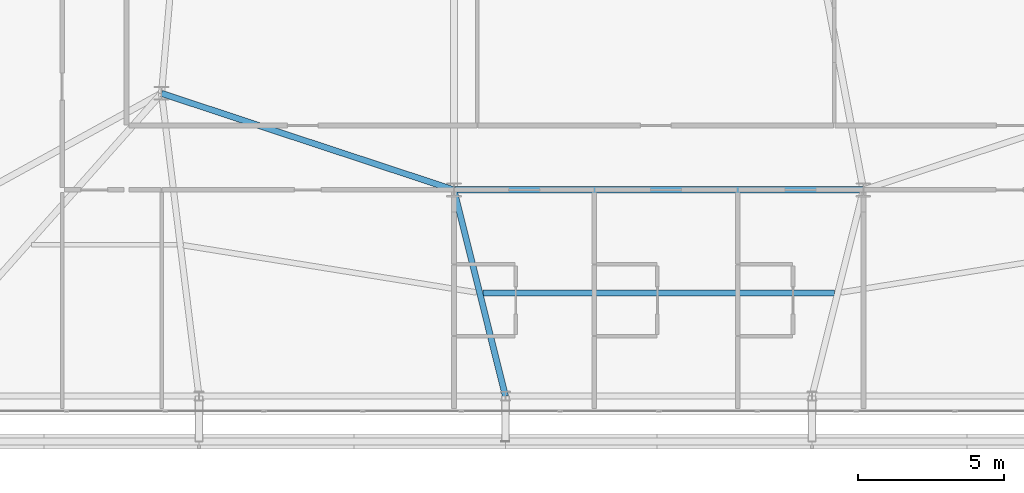
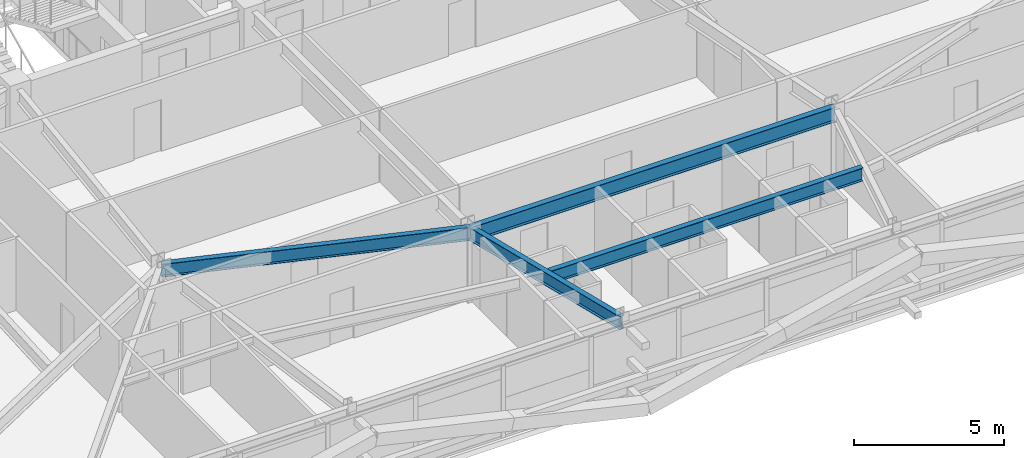
# One storey, part 13 of 59: 4 beams.
"""IFC4 building model written with IfcOpenShell, lengths in metres."""

import ifcopenshell
import ifcopenshell.guid

model = None  # the IFC model being written
_history = None  # IfcOwnerHistory: only IFC2X3 demands one
_inside = {}  # id of a spatial element -> (the spatial element, [elements in it])
_under = {}  # id of a project, library or spatial element -> (it, [spatial elements below it])
_declared = {}  # id of a project -> (the project, [libraries it declares])
_typed = {}  # id of a type object -> (the type object, [elements of that type])
_made_of = {}  # id of a material, layer set ... -> (it, [elements and type objects made of it])


def new_model(schema):
    """Start an empty IFC model of exactly this schema.

    Asked for "IFC4X3", IfcOpenShell would pick the latest addendum, in which some entities
    have other attributes; the version numbers below select the first issue.
    IFC2X3 requires an IfcOwnerHistory on every rooted entity: one is made here for all.
    """
    global model, _history
    if schema == "IFC4X3":
        model = ifcopenshell.file(schema_version=(4, 3, 0, 0))
    else:
        model = ifcopenshell.file(schema=schema)
    _inside.clear()
    _under.clear()
    _declared.clear()
    _typed.clear()
    _made_of.clear()
    _history = None
    if model.schema == "IFC2X3":
        org = make("IfcOrganization", Name="unknown")
        user = make(
            "IfcPersonAndOrganization",
            ThePerson=make("IfcPerson", FamilyName="unknown"),
            TheOrganization=org,
        )
        app = make(
            "IfcApplication",
            ApplicationDeveloper=org,
            Version="unknown",
            ApplicationFullName="unknown",
            ApplicationIdentifier="unknown",
        )
        _history = make(
            "IfcOwnerHistory",
            OwningUser=user,
            OwningApplication=app,
            ChangeAction="ADDED",
            CreationDate=0,
        )
    return model


def make(cls, **values):
    """One entity of the class cls with the attributes given. An attribute that is None is left unset."""
    return model.create_entity(
        cls, **{name: value for name, value in values.items() if value is not None}
    )


def rooted(cls, **values):
    """An entity with a GlobalId (a new one), such as an element, a storey or a relation."""
    return make(cls, GlobalId=ifcopenshell.guid.new(), OwnerHistory=_history, **values)


def si_unit(unit_type, name, prefix=None):
    """IfcSIUnit, for example si_unit("LENGTHUNIT", "METRE", prefix="MILLI")."""
    return make("IfcSIUnit", UnitType=unit_type, Prefix=prefix, Name=name)


def assignment(units):
    """IfcUnitAssignment: the units of a project."""
    return None if units is None else make("IfcUnitAssignment", Units=units)


def point(xyz):
    """IfcCartesianPoint."""
    return None if xyz is None else make("IfcCartesianPoint", Coordinates=xyz)


def direction(xyz):
    """IfcDirection."""
    return None if xyz is None else make("IfcDirection", DirectionRatios=xyz)


def frame(location, z_axis=None, x_axis=None):
    """IfcAxis2Placement3D, a coordinate frame: its origin and axes. An axis left out is left unset."""
    return make(
        "IfcAxis2Placement3D",
        Location=point(location),
        Axis=direction(z_axis),
        RefDirection=direction(x_axis),
    )


def frame_2d(location, x_axis=None):
    """IfcAxis2Placement2D, a coordinate frame in the plane: its origin and x axis."""
    return make(
        "IfcAxis2Placement2D", Location=point(location), RefDirection=direction(x_axis)
    )


def origin():
    """The frame at (0, 0, 0) with its axes left unset."""
    return frame((0.0, 0.0, 0.0))


def origin_2d():
    """The frame at (0, 0) in the plane with its x axis left unset."""
    return frame_2d((0.0, 0.0))


def place(relative_to, where):
    """IfcLocalPlacement: puts the frame where relative to a parent placement (None: the world)."""
    return make(
        "IfcLocalPlacement", PlacementRelTo=relative_to, RelativePlacement=where
    )


def context(
    kind, dimensions, precision=None, world=None, true_north=None, identifier=None
):
    """IfcGeometricRepresentationContext, for example the 3D "Model" context."""
    return make(
        "IfcGeometricRepresentationContext",
        ContextIdentifier=identifier,
        ContextType=kind,
        CoordinateSpaceDimension=dimensions,
        Precision=precision,
        WorldCoordinateSystem=world,
        TrueNorth=true_north,
    )


def subcontext(parent, identifier, kind, view, scale=None):
    """IfcGeometricRepresentationSubContext, for example "Body" below "Model"."""
    return make(
        "IfcGeometricRepresentationSubContext",
        ContextIdentifier=identifier,
        ContextType=kind,
        ParentContext=parent,
        TargetScale=scale,
        TargetView=view,
    )


def project(units=None, contexts=None):
    """IfcProject with its units and contexts."""
    return rooted(
        "IfcProject",
        Name="project",
        RepresentationContexts=contexts,
        UnitsInContext=assignment(units),
    )


def spatial(cls, under=None, at=None, **own):
    """A site, building, storey or space (cls), placed at a placement, below another one or the project."""
    s = rooted(cls, ObjectPlacement=at, **own)
    if under is not None:
        _under.setdefault(under.id(), (under, []))[1].append(s)
    return s


def profile(cls, at=None, kind="AREA", **sizes):
    """A parametric profile (cls). Its sizes go by their IFC names, for example OverallWidth=200.0."""
    return make(cls, ProfileType=kind, Position=at, **sizes)


def i_section(**sizes):
    """IfcIShapeProfileDef."""
    return profile("IfcIShapeProfileDef", **sizes)


def extrude(swept, where, along, depth):
    """IfcExtrudedAreaSolid: the profile swept, set in the frame where, extruded along a direction by depth."""
    return make(
        "IfcExtrudedAreaSolid",
        SweptArea=swept,
        Position=where,
        ExtrudedDirection=direction(along),
        Depth=depth,
    )


def shape(context_of_items, identifier, shape_type, items):
    """IfcShapeRepresentation: the items that make up one representation, for example the "Body"."""
    return make(
        "IfcShapeRepresentation",
        ContextOfItems=context_of_items,
        RepresentationIdentifier=identifier,
        RepresentationType=shape_type,
        Items=items,
    )


def source(mapping_origin, context_of_items, identifier, shape_type, items):
    """IfcRepresentationMap: a shape defined once, which mapped items show again and again."""
    return make(
        "IfcRepresentationMap",
        MappingOrigin=mapping_origin,
        MappedRepresentation=shape(context_of_items, identifier, shape_type, items),
    )


def transform(
    local_origin,
    x_axis=None,
    y_axis=None,
    z_axis=None,
    scale=None,
    scale2=None,
    scale3=None,
    uniform=True,
):
    """IfcCartesianTransformationOperator3D, or its non-uniform kind. x_axis, y_axis, z_axis: its Axis1, 2, 3."""
    if uniform:
        return make(
            "IfcCartesianTransformationOperator3D",
            Axis1=direction(x_axis),
            Axis2=direction(y_axis),
            LocalOrigin=point(local_origin),
            Scale=scale,
            Axis3=direction(z_axis),
        )
    return make(
        "IfcCartesianTransformationOperator3DnonUniform",
        Axis1=direction(x_axis),
        Axis2=direction(y_axis),
        LocalOrigin=point(local_origin),
        Scale=scale,
        Axis3=direction(z_axis),
        Scale2=scale2,
        Scale3=scale3,
    )


def mapped(mapping_source, mapping_target):
    """IfcMappedItem: shows the shape of a source again, moved by a transform."""
    return make(
        "IfcMappedItem", MappingSource=mapping_source, MappingTarget=mapping_target
    )


def material(Name=None, Category=None):
    """IfcMaterial."""
    return make("IfcMaterial", Name=Name, Category=Category)


def material_profile(
    of_material, cross_section, Name=None, Category=None, Priority=None
):
    """IfcMaterialProfile: a cross section and its material."""
    return make(
        "IfcMaterialProfile",
        Name=Name,
        Material=of_material,
        Profile=cross_section,
        Priority=Priority,
        Category=Category,
    )


def profile_set(profiles, Name=None, composite=None):
    """IfcMaterialProfileSet."""
    return make(
        "IfcMaterialProfileSet",
        Name=Name,
        MaterialProfiles=profiles,
        CompositeProfile=composite,
    )


def made_of(thing, what):
    """Note that an element or type object is made of a material, layer set ...; save() writes the relation."""
    if what is not None:
        _made_of.setdefault(what.id(), (what, []))[1].append(thing)
    return thing


def type_object(cls, material=None, **own):
    """A type object (cls), such as IfcWallType, which elements share."""
    return made_of(rooted(cls, **own), material)


def element(
    cls,
    number,
    at=None,
    inside=None,
    cuts=None,
    type_object=None,
    material=None,
    context=None,
    identifier="Body",
    shape_type=None,
    held_by="IfcProductDefinitionShape",
    body=None,
    shapes=None,
    **own,
):
    """One element of the class cls, such as IfcWall. Its Tag is "e" and its number.

    at: its placement. inside: the storey or other place that contains it. cuts: it is an
    opening in that element (IfcRelVoidsElement). A single representation is given by context,
    identifier, shape_type and body (its items); several are given by shapes. held_by: the class
    of the entity that holds the representations. save() writes the other relations.
    """
    e = rooted(cls, Tag="e%d" % number, ObjectPlacement=at, **own)
    if body is not None:
        shapes = [shape(context, identifier, shape_type, body)]
    if shapes is not None:
        e.Representation = make(held_by, Representations=shapes)
    if inside is not None:
        _inside.setdefault(inside.id(), (inside, []))[1].append(e)
    if cuts is not None:
        rooted(
            "IfcRelVoidsElement", RelatingBuildingElement=cuts, RelatedOpeningElement=e
        )
    if type_object is not None:
        _typed.setdefault(type_object.id(), (type_object, []))[1].append(e)
    return made_of(e, material)


def aggregate(whole, parts):
    """IfcRelAggregates: a whole, such as a stair, and the parts it consists of."""
    return rooted("IfcRelAggregates", RelatingObject=whole, RelatedObjects=parts)


def save(model, path):
    """Write the relations noted so far, then the file.

    IfcRelAggregates (storeys below a building ...), IfcRelContainedInSpatialStructure (elements
    in a storey), IfcRelDefinesByType, IfcRelAssociatesMaterial and IfcRelDeclares: one each for
    every whole, place, type object, material and project.
    """
    for whole, parts in _under.values():
        aggregate(whole, parts)
    for where, things in _inside.values():
        rooted(
            "IfcRelContainedInSpatialStructure",
            RelatedElements=things,
            RelatingStructure=where,
        )
    for kind, things in _typed.values():
        rooted("IfcRelDefinesByType", RelatedObjects=things, RelatingType=kind)
    for what, things in _made_of.values():
        rooted("IfcRelAssociatesMaterial", RelatedObjects=things, RelatingMaterial=what)
    for by, libraries in _declared.values():
        rooted("IfcRelDeclares", RelatingContext=by, RelatedDefinitions=libraries)
    model.write(path)


model = new_model("IFC4")

# Units and contexts
model_context = context("Model", 3, precision=1e-05, world=origin(), true_north=direction((0.0, 1.0)))
body_context = subcontext(model_context, "Body", "Model", "MODEL_VIEW")
ifc_project = project(units=[si_unit("LENGTHUNIT", "METRE"), si_unit("AREAUNIT", "SQUARE_METRE"), si_unit("VOLUMEUNIT", "CUBIC_METRE"), si_unit("PLANEANGLEUNIT", "RADIAN"), si_unit("MASSUNIT", "GRAM", prefix="KILO")], contexts=[model_context])

# Site, building, storey
site_placement = place(None, origin())
site = spatial("IfcSite", under=ifc_project, at=site_placement, CompositionType="ELEMENT")
building_placement = place(site_placement, origin())
building = spatial("IfcBuilding", under=site, at=building_placement, Name="Taldren Reach Tower", CompositionType="ELEMENT")
storey_placement = place(building_placement, frame((0.0, 0.0, 48.300048828125)))
storey = spatial("IfcBuildingStorey", under=building, at=storey_placement, Name="L14", CompositionType="ELEMENT", Elevation=48.300048828125)

# Beams
ifc_material = material(Name="Steel Gr 350 (350PLUS)", Category="steel")
ifc_material_profile_1 = material_profile(ifc_material, i_section(OverallWidth=0.208984375, OverallDepth=0.532958984375, WebThickness=0.01025390625, FlangeThickness=0.015625, at=origin_2d()), Name="530UB92.4")
ifc_profile_set_1 = profile_set([ifc_material_profile_1], Name="Steel Gr 350 (350PLUS)")
beam_type_1 = type_object("IfcBeamType", Name="BM-UB530A", PredefinedType="BEAM", material=ifc_profile_set_1)
shared_shape_1 = source(origin(), body_context, "Body", "SweptSolid", [
    extrude(i_section(OverallWidth=0.208984375, OverallDepth=0.532958984375, WebThickness=0.01025390625, FlangeThickness=0.015625, at=origin_2d()), origin(), (0.0, 0.0, 1.0), 10.530517578125),
])
beam_1_placement = place(storey_placement, frame((18.0, 12.5, 2.663330078125), z_axis=(0.949627269203, -0.313381635689, 0.0), x_axis=(0.313381635689, 0.949627269203, 0.0)))
element("IfcBeam", 1, at=beam_1_placement, inside=storey, type_object=beam_type_1, Name="Core-spine girder L14-SP10", PredefinedType="BEAM", context=body_context, shape_type="MappedRepresentation", body=[
    mapped(shared_shape_1, transform((0.0, 0.0, 0.0), scale=1.0)),
])
ifc_material_profile_2 = material_profile(ifc_material, i_section(OverallWidth=0.22802734375, OverallDepth=0.60205078125, WebThickness=0.010498046875, FlangeThickness=0.014892578125, at=origin_2d()), Name="610UB101")
ifc_profile_set_2 = profile_set([ifc_material_profile_2], Name="Steel Gr 350 (350PLUS)")
beam_type_2 = type_object("IfcBeamType", Name="BM-UB610B", PredefinedType="BEAM", material=ifc_profile_set_2)
shared_shape_2 = source(origin(), body_context, "Body", "SweptSolid", [
    extrude(i_section(OverallWidth=0.22802734375, OverallDepth=0.60205078125, WebThickness=0.010498046875, FlangeThickness=0.014892578125, at=origin_2d()), origin(), (0.0, 0.0, 1.0), 14.0),
])
beam_2_placement = place(storey_placement, frame((28.0, 9.199951171875, 2.62890625), z_axis=(1.0, 0.0, 0.0), x_axis=(0.0, 1.0, 0.0)))
element("IfcBeam", 2, at=beam_2_placement, inside=storey, type_object=beam_type_2, Name="Core-spine girder L14-SP11", PredefinedType="BEAM", context=body_context, shape_type="MappedRepresentation", body=[
    mapped(shared_shape_2, transform((0.0, 0.0, 0.0), scale=1.0)),
])
shared_shape_3 = source(origin(), body_context, "Body", "SweptSolid", [
    extrude(i_section(OverallWidth=0.208984375, OverallDepth=0.532958984375, WebThickness=0.01025390625, FlangeThickness=0.015625, at=origin_2d()), origin(), (0.0, 0.0, 1.0), 7.266357421875),
])
beam_3_placement = place(storey_placement, frame((28.0, 9.199951171875, 2.663330078125), z_axis=(0.24221148493, -0.970223477642, 0.0), x_axis=(0.970223477642, 0.24221148493, 0.0)))
element("IfcBeam", 3, at=beam_3_placement, inside=storey, type_object=beam_type_1, Name="Primary floor girder B1-S3 L14", PredefinedType="BEAM", context=body_context, shape_type="MappedRepresentation", body=[
    mapped(shared_shape_3, transform((0.0, 0.0, 0.0), scale=1.0)),
])
shared_shape_4 = source(origin(), body_context, "Body", "SweptSolid", [
    extrude(i_section(OverallWidth=0.208984375, OverallDepth=0.532958984375, WebThickness=0.01025390625, FlangeThickness=0.015625, at=origin_2d()), origin(), (0.0, 0.0, 1.0), 12.0244140625),
])
beam_4_placement = place(storey_placement, frame((28.98779296875, 5.675048828125, 2.663330078125), z_axis=(1.0, 0.0, 0.0), x_axis=(0.0, 1.0, 0.0)))
element("IfcBeam", 4, at=beam_4_placement, inside=storey, type_object=beam_type_1, Name="Secondary floor beam B1 J3 L14", PredefinedType="BEAM", context=body_context, shape_type="MappedRepresentation", body=[
    mapped(shared_shape_4, transform((0.0, 0.0, 0.0), scale=1.0)),
])

save(model, "model.ifc")
